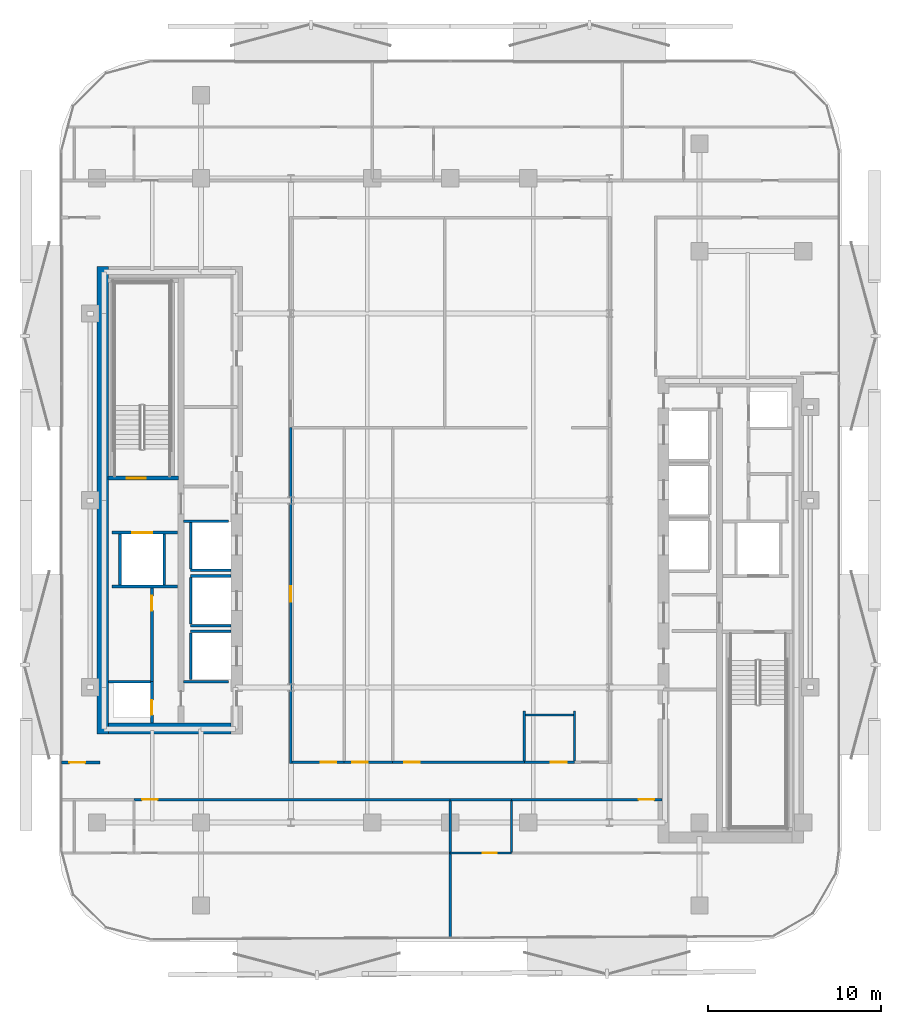
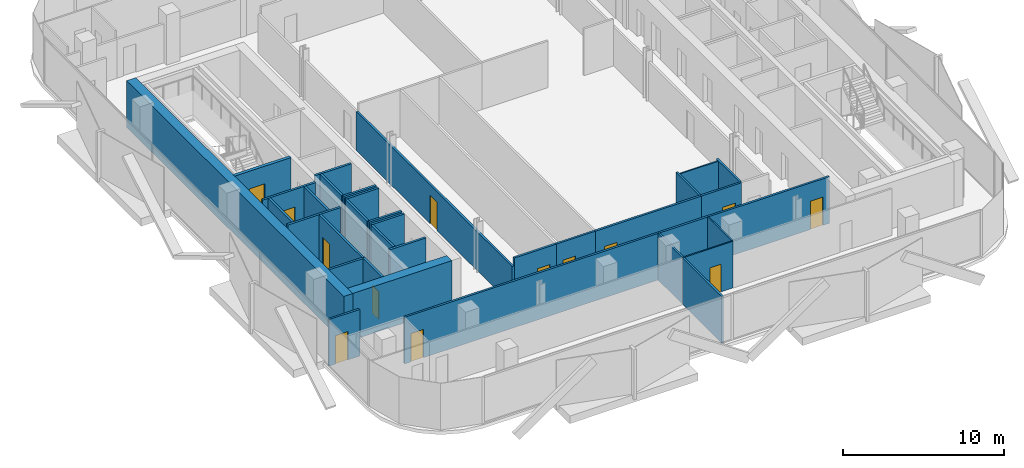
# One storey, part 3 of 16: 35 walls, 13 doors, 13 openings.
"""IFC4 building model written with IfcOpenShell, lengths in metres."""

from ifc_helpers import new_model, si_unit, direction, frame, frame_2d, origin, place, context, subcontext, project, spatial, rectangle, extrude, material, layer, layer_set, type_object, element, fill, save


model = new_model("IFC4")

# Units and contexts
model_context = context("Model", 3, precision=1e-05, world=origin(), true_north=direction((0.0, 1.0)))
body_context = subcontext(model_context, "Body", "Model", "MODEL_VIEW")
ifc_project = project(units=[si_unit("LENGTHUNIT", "METRE"), si_unit("AREAUNIT", "SQUARE_METRE"), si_unit("VOLUMEUNIT", "CUBIC_METRE"), si_unit("PLANEANGLEUNIT", "RADIAN"), si_unit("MASSUNIT", "GRAM", prefix="KILO")], contexts=[model_context])

# Site, building, storey
site_placement = place(None, origin())
site = spatial("IfcSite", under=ifc_project, at=site_placement, CompositionType="ELEMENT")
building_placement = place(site_placement, origin())
building = spatial("IfcBuilding", under=site, at=building_placement, Name="Khairoan Windgate Tower", CompositionType="ELEMENT")
storey_placement = place(building_placement, frame((0.0, 0.0, 206.800048828125)))
storey = spatial("IfcBuildingStorey", under=building, at=storey_placement, Name="L48", CompositionType="ELEMENT", Elevation=206.800048828125)

# Wall
ifc_material_1 = material(Name="Moisture-Resistant Gypsum Partition", Category="gypsum")
ifc_layer_1 = layer(ifc_material_1, 0.10009765625, Name="Moisture-Resistant Gypsum Partition")
ifc_layer_set_1 = layer_set([ifc_layer_1], Name="Moisture-Resistant Gypsum Partition")
wall_type_1 = type_object("IfcWallType", Name="Bathroom Wet-Area Partition Wall", PredefinedType="PARTITIONING", material=ifc_layer_set_1)
wall_1_placement = place(storey_placement, frame((3.5400390625, -20.320068359375, 0.0), z_axis=(0.0, 0.0, 1.0), x_axis=(0.0, 1.0, 0.0)))
element("IfcWall", 1, at=wall_1_placement, inside=storey, type_object=wall_type_1, Name="L48 Interior Partition 064", PredefinedType="PARTITIONING", context=body_context, shape_type="SweptSolid", body=[
    extrude(rectangle(XDim=2.965087890625, YDim=0.10009765625, at=frame_2d((1.482421875, 0.0))), origin(), (0.0, 0.0, 1.0), 3.5400390625),
])

# Wall, opening, door
wall_2_placement = place(storey_placement, frame((0.0, -20.3701171875, 0.0), z_axis=(0.0, 0.0, 1.0), x_axis=(1.0, 0.0, 0.0)))
wall_2 = element("IfcWall", 2, at=wall_2_placement, inside=storey, type_object=wall_type_1, Name="L48 Interior Partition 065", PredefinedType="PARTITIONING", context=body_context, shape_type="SweptSolid", body=[
    extrude(rectangle(XDim=3.5400390625, YDim=0.10009765625, at=frame_2d((1.77001953125, 0.0))), origin(), (0.0, 0.0, 1.0), 3.5400390625),
])
opening_1_placement = place(wall_2_placement, frame((1.87548828125, 0.0, 0.0)))
opening_1 = element("IfcOpeningElement", 3, at=opening_1_placement, cuts=wall_2, Name="Opening ID-BTH", PredefinedType="OPENING", context=body_context, shape_type="SweptSolid", body=[
    extrude(rectangle(XDim=0.800048828125, YDim=2.10009765625, at=frame_2d((0.39990234375, 1.050048828125))), frame((0.0, 0.06005859375, 0.0), z_axis=(0.0, -1.0, 0.0), x_axis=(1.0, 0.0, 0.0)), (0.0, 0.0, 1.0), 0.1201171875),
])
ifc_material_2 = material(Name="Teak Veneer Timber Leaf", Category="wood")
door_type_1 = type_object("IfcDoorType", Name="Internal Bathroom Door ID-BTH 800x2100", OperationType="NOTDEFINED", PredefinedType="DOOR", material=ifc_material_2)
door_1_placement = place(opening_1_placement, origin())
door_1 = element("IfcDoor", 4, at=door_1_placement, inside=storey, type_object=door_type_1, Name="L48 L48-51-L48-53 Door", OperationType="SINGLE_SWING_RIGHT", OverallHeight=2.10009765625, OverallWidth=0.800048828125, PredefinedType="DOOR", context=body_context, shape_type="SweptSolid", body=[
    extrude(rectangle(XDim=0.800048828125, YDim=2.10009765625, at=frame_2d((0.39990234375, 1.050048828125))), frame((0.0, 0.02490234375, 0.0), z_axis=(0.0, -1.0, 0.0), x_axis=(1.0, 0.0, 0.0)), (0.0, 0.0, 1.0), 0.050048828125),
])
fill(opening_1, door_1)

# Walls
wall_3_placement = place(storey_placement, frame((4.35009765625, -12.39990234375, 0.0), z_axis=(0.0, 0.0, 1.0), x_axis=(1.0, 0.0, 0.0)))
element("IfcWall", 5, at=wall_3_placement, inside=storey, type_object=wall_type_1, Name="L48 Wet Room Side Wall 069", PredefinedType="PARTITIONING", context=body_context, shape_type="SweptSolid", body=[
    extrude(rectangle(XDim=2.760009765625, YDim=0.10009765625, at=frame_2d((1.3798828125, 0.0))), origin(), (0.0, 0.0, 1.0), 3.5400390625),
])
ifc_material_3 = material(Name="Concrete C40/50", Category="concrete")
ifc_layer_2 = layer(ifc_material_3, 0.159912109375, Name="Concrete C40/50")
ifc_layer_set_2 = layer_set([ifc_layer_2], Name="Concrete C40/50")
wall_type_2 = type_object("IfcWallType", Name="Core and Hoistway Enclosure Wall", PredefinedType="STANDARD", material=ifc_layer_set_2)
wall_4_placement = place(storey_placement, frame((-14.989990234375, -4.0400390625, 0.0), z_axis=(0.0, 0.0, 1.0), x_axis=(1.0, 0.0, 0.0)))
element("IfcWall", 6, at=wall_4_placement, inside=storey, type_object=wall_type_2, Name="L48 Lift PL4 Hoistway Divider S", PredefinedType="STANDARD", context=body_context, shape_type="SweptSolid", body=[
    extrude(rectangle(XDim=2.340087890625, YDim=0.159912109375, at=frame_2d((1.169921875, 0.0))), origin(), (0.0, 0.0, 1.0), 3.5400390625),
])
wall_5_placement = place(storey_placement, frame((-14.989990234375, -3.949951171875, 0.0), z_axis=(0.0, 0.0, 1.0), x_axis=(0.0, 1.0, 0.0)))
element("IfcWall", 7, at=wall_5_placement, inside=storey, type_object=wall_type_2, Name="L48 Lift PL4 Hoistway Back Wall", PredefinedType="STANDARD", context=body_context, shape_type="SweptSolid", body=[
    extrude(rectangle(XDim=2.699951171875, YDim=0.159912109375, at=frame_2d((1.35009765625, 0.0))), origin(), (0.0, 0.0, 1.0), 3.5400390625),
])
for number, where, z_axis, x_axis, name in (
    (8, (-14.989990234375, -7.239990234375, 0.0), (0.0, 0.0, 1.0), (1.0, 0.0, 0.0), "L48 Lift PL5 Hoistway Divider S"),
    (9, (-14.989990234375, -4.360107421875, 0.0), (0.0, 0.0, 1.0), (1.0, 0.0, 0.0), "L48 Lift PL5 Hoistway Divider N"),
):
    element("IfcWall", number, at=place(storey_placement, frame(where, z_axis=z_axis, x_axis=x_axis)), inside=storey, type_object=wall_type_2, Name=name, PredefinedType="STANDARD", context=body_context, shape_type="SweptSolid", body=[
        extrude(rectangle(XDim=2.340087890625, YDim=0.159912109375, at=frame_2d((1.169921875, 0.0))), origin(), (0.0, 0.0, 1.0), 3.5400390625),
    ])
wall_6_placement = place(storey_placement, frame((-14.989990234375, -7.14990234375, 0.0), z_axis=(0.0, 0.0, 1.0), x_axis=(0.0, 1.0, 0.0)))
element("IfcWall", 10, at=wall_6_placement, inside=storey, type_object=wall_type_2, Name="L48 Lift PL5 Hoistway Back Wall", PredefinedType="STANDARD", context=body_context, shape_type="SweptSolid", body=[
    extrude(rectangle(XDim=2.699951171875, YDim=0.159912109375, at=frame_2d((1.35009765625, 0.0))), origin(), (0.0, 0.0, 1.0), 3.5400390625),
])
wall_7_placement = place(storey_placement, frame((-14.989990234375, -7.56005859375, 0.0), z_axis=(0.0, 0.0, 1.0), x_axis=(1.0, 0.0, 0.0)))
element("IfcWall", 11, at=wall_7_placement, inside=storey, type_object=wall_type_2, Name="L48 Lift PL6 Hoistway Divider N", PredefinedType="STANDARD", context=body_context, shape_type="SweptSolid", body=[
    extrude(rectangle(XDim=2.340087890625, YDim=0.159912109375, at=frame_2d((1.169921875, 0.0))), origin(), (0.0, 0.0, 1.0), 3.5400390625),
])
wall_8_placement = place(storey_placement, frame((-14.989990234375, -10.35009765625, 0.0), z_axis=(0.0, 0.0, 1.0), x_axis=(0.0, 1.0, 0.0)))
element("IfcWall", 12, at=wall_8_placement, inside=storey, type_object=wall_type_2, Name="L48 Lift PL6 Hoistway Back Wall", PredefinedType="STANDARD", context=body_context, shape_type="SweptSolid", body=[
    extrude(rectangle(XDim=2.7001953125, YDim=0.159912109375, at=frame_2d((1.35009765625, 0.0))), origin(), (0.0, 0.0, 1.0), 3.5400390625),
])

# Wall, opening, door
wall_9_placement = place(storey_placement, frame((-19.550048828125, -1.860107421875, 0.0), z_axis=(0.0, 0.0, 1.0), x_axis=(1.0, 0.0, 0.0)))
wall_9 = element("IfcWall", 13, at=wall_9_placement, inside=storey, type_object=wall_type_2, Name="L48 Core Shaft Wall SW-FL2-L48", PredefinedType="STANDARD", context=body_context, shape_type="SweptSolid", body=[
    extrude(rectangle(XDim=3.800048828125, YDim=0.159912109375, at=frame_2d((1.89990234375, 0.0))), origin(), (0.0, 0.0, 1.0), 3.5400390625),
])
opening_2_placement = place(wall_9_placement, frame((1.179931640625, 0.0, 0.0)))
opening_2 = element("IfcOpeningElement", 14, at=opening_2_placement, cuts=wall_9, Name="Opening LD-FL", PredefinedType="OPENING", context=body_context, shape_type="SweptSolid", body=[
    extrude(rectangle(XDim=1.14990234375, YDim=2.199951171875, at=frame_2d((0.574951171875, 1.10009765625))), frame((0.0, 0.08984375, 0.0), z_axis=(0.0, -1.0, 0.0), x_axis=(1.0, 0.0, 0.0)), (0.0, 0.0, 1.0), 0.179931640625),
])
ifc_material_4 = material(Name="Steel S355", Category="steel")
door_type_2 = type_object("IfcDoorType", Name="Firefighting Lift Sliding Landing Door LD-FL 1150x2200", OperationType="DOUBLE_DOOR_SLIDING", PredefinedType="DOOR", material=ifc_material_4)
door_2_placement = place(opening_2_placement, origin())
door_2 = element("IfcDoor", 15, at=door_2_placement, inside=storey, type_object=door_type_2, Name="L48 Firefighting Lift FL2 Landing Door", OperationType="DOUBLE_DOOR_SLIDING", OverallHeight=2.199951171875, OverallWidth=1.14990234375, PredefinedType="DOOR", context=body_context, shape_type="SweptSolid", body=[
    extrude(rectangle(XDim=1.14990234375, YDim=2.199951171875, at=frame_2d((0.574951171875, 1.10009765625))), frame((0.0, 0.02490234375, 0.0), z_axis=(0.0, -1.0, 0.0), x_axis=(1.0, 0.0, 0.0)), (0.0, 0.0, 1.0), 0.050048828125),
])
fill(opening_2, door_2)

# Walls
wall_10_placement = place(storey_placement, frame((-19.550048828125, -4.97998046875, 0.0), z_axis=(0.0, 0.0, 1.0), x_axis=(1.0, 0.0, 0.0)))
element("IfcWall", 16, at=wall_10_placement, inside=storey, type_object=wall_type_2, Name="L48 Core Shaft Wall SW-FL2B-L48", PredefinedType="STANDARD", context=body_context, shape_type="SweptSolid", body=[
    extrude(rectangle(XDim=3.800048828125, YDim=0.159912109375, at=frame_2d((1.89990234375, 0.0))), origin(), (0.0, 0.0, 1.0), 3.5400390625),
])
for number, where, z_axis, x_axis, name in (
    (17, (-19.080078125, -4.89990234375, 0.0), (0.0, 0.0, 1.0), (0.0, 1.0, 0.0), "L48 Core Shaft Wall SW-FL2W-L48"),
    (18, (-16.52001953125, -4.89990234375, 0.0), (0.0, 0.0, 1.0), (0.0, 1.0, 0.0), "L48 Core Shaft Wall SW-FL2E-L48"),
):
    element("IfcWall", number, at=place(storey_placement, frame(where, z_axis=z_axis, x_axis=x_axis)), inside=storey, type_object=wall_type_2, Name=name, PredefinedType="STANDARD", context=body_context, shape_type="SweptSolid", body=[
        extrude(rectangle(XDim=2.9599609375, YDim=0.159912109375, at=frame_2d((1.47998046875, 0.0))), origin(), (0.0, 0.0, 1.0), 3.5400390625),
    ])
for number, where, z_axis, x_axis, name in (
    (19, (-15.39990234375, -1.199951171875, 0.0), (0.0, 0.0, 1.0), (1.0, 0.0, 0.0), "L48 Core Shaft Wall SW-WV2-L48"),
    (20, (-15.39990234375, -10.47998046875, 0.0), (0.0, 0.0, 1.0), (1.0, 0.0, 0.0), "L48 Core Shaft Wall SW-WSV-L48"),
):
    element("IfcWall", number, at=place(storey_placement, frame(where, z_axis=z_axis, x_axis=x_axis)), inside=storey, type_object=wall_type_2, Name=name, PredefinedType="STANDARD", context=body_context, shape_type="SweptSolid", body=[
        extrude(rectangle(XDim=2.599853515625, YDim=0.159912109375, at=frame_2d((1.2998046875, 0.0))), origin(), (0.0, 0.0, 1.0), 3.5400390625),
    ])
ifc_material_5 = material(Name="Acoustic Fire-Rated Gypsum Partition", Category="gypsum")
ifc_layer_3 = layer(ifc_material_5, 0.139892578125, Name="Acoustic Fire-Rated Gypsum Partition")
ifc_layer_set_3 = layer_set([ifc_layer_3], Name="Acoustic Fire-Rated Gypsum Partition")
wall_type_3 = type_object("IfcWallType", Name="Inter-Tenancy Compartment Wall", PredefinedType="PARTITIONING", material=ifc_layer_set_3)
for number, where, z_axis, x_axis, name in (
    (21, (4.280029296875, -15.044921875, 0.0), (0.0, 0.0, 1.0), (0.0, 1.0, 0.0), "L48 Interior Partition 040"),
    (22, (7.179931640625, -15.044921875, 0.0), (0.0, 0.0, 1.0), (0.0, 1.0, 0.0), "L48 Interior Partition 043"),
):
    element("IfcWall", number, at=place(storey_placement, frame(where, z_axis=z_axis, x_axis=x_axis)), inside=storey, type_object=wall_type_3, Name=name, PredefinedType="PARTITIONING", context=body_context, shape_type="SweptSolid", body=[
        extrude(rectangle(XDim=2.885009765625, YDim=0.139892578125, at=frame_2d((1.4423828125, 0.0))), origin(), (0.0, 0.0, 1.0), 3.5400390625),
    ])
wall_11_placement = place(storey_placement, frame((0.0, -20.3701171875, 0.0), z_axis=(0.0, 0.0, 1.0), x_axis=(0.0, 1.0, 0.0)))
element("IfcWall", 23, at=wall_11_placement, inside=storey, type_object=wall_type_3, Name="L48 Interior Partition 062", PredefinedType="PARTITIONING", context=body_context, shape_type="SweptSolid", body=[
    extrude(rectangle(XDim=3.01513671875, YDim=0.139892578125, at=frame_2d((1.507568359375, 0.0))), origin(), (0.0, 0.0, 1.0), 3.5400390625),
])
wall_12_placement = place(storey_placement, frame((0.0, -25.269775390625, 0.0), z_axis=(0.0, 0.0, 1.0), x_axis=(0.0, 1.0, 0.0)))
element("IfcWall", 24, at=wall_12_placement, inside=storey, type_object=wall_type_3, Name="L48 Interior Partition 063", PredefinedType="PARTITIONING", context=body_context, shape_type="SweptSolid", body=[
    extrude(rectangle(XDim=4.899658203125, YDim=0.139892578125, at=frame_2d((2.44970703125, 0.0))), origin(), (0.0, 0.0, 1.0), 3.5400390625),
])

# Wall, opening, door
ifc_material_6 = material(Name="Concrete C40/50", Category="concrete")
ifc_layer_4 = layer(ifc_material_6, 0.159912109375, Name="Concrete C40/50")
ifc_layer_set_4 = layer_set([ifc_layer_4], Name="Concrete C40/50")
wall_type_4 = type_object("IfcWallType", Name="Plant and Refuge Compartment Wall", PredefinedType="PARTITIONING", material=ifc_layer_set_4)
wall_13_placement = place(storey_placement, frame((-17.22998046875, -12.85009765625, 0.0), z_axis=(0.0, 0.0, 1.0), x_axis=(0.0, 1.0, 0.0)))
wall_13 = element("IfcWall", 25, at=wall_13_placement, inside=storey, type_object=wall_type_4, Name="L48 Interior Partition 001", PredefinedType="PARTITIONING", context=body_context, shape_type="SweptSolid", body=[
    extrude(rectangle(XDim=2.380126953125, YDim=0.159912109375, at=frame_2d((1.18994140625, 0.0))), origin(), (0.0, 0.0, 1.0), 3.5400390625),
])
opening_3_placement = place(wall_13_placement, frame((0.4599609375, 0.0, 0.0)))
opening_3 = element("IfcOpeningElement", 26, at=opening_3_placement, cuts=wall_13, Name="Opening FD-SRV", PredefinedType="OPENING", context=body_context, shape_type="SweptSolid", body=[
    extrude(rectangle(XDim=0.85009765625, YDim=2.10009765625, at=frame_2d((0.425048828125, 1.050048828125))), frame((0.0, 0.08984375, 0.0), z_axis=(0.0, -1.0, 0.0), x_axis=(1.0, 0.0, 0.0)), (0.0, 0.0, 1.0), 0.179931640625),
])
ifc_material_7 = material(Name="Steel S355", Category="steel")
door_type_3 = type_object("IfcDoorType", Name="Core Service and Riser Fire Door FD-SRV 850x2100", OperationType="NOTDEFINED", PredefinedType="DOOR", material=ifc_material_7)
door_3_placement = place(opening_3_placement, origin())
door_3 = element("IfcDoor", 27, at=door_3_placement, inside=storey, type_object=door_type_3, Name="L48 L48-04-L48-05 Door", OperationType="SINGLE_SWING_RIGHT", OverallHeight=2.10009765625, OverallWidth=0.85009765625, PredefinedType="DOOR", context=body_context, shape_type="SweptSolid", body=[
    extrude(rectangle(XDim=0.85009765625, YDim=2.10009765625, at=frame_2d((0.425048828125, 1.050048828125))), frame((0.0, 0.02490234375, 0.0), z_axis=(0.0, -1.0, 0.0), x_axis=(1.0, 0.0, 0.0)), (0.0, 0.0, 1.0), 0.050048828125),
])
fill(opening_3, door_3)

wall_14_placement = place(storey_placement, frame((-17.22998046875, -10.469970703125, 0.0), z_axis=(0.0, 0.0, 1.0), x_axis=(0.0, 1.0, 0.0)))
wall_14 = element("IfcWall", 28, at=wall_14_placement, inside=storey, type_object=wall_type_4, Name="L48 Interior Partition 002", PredefinedType="PARTITIONING", context=body_context, shape_type="SweptSolid", body=[
    extrude(rectangle(XDim=5.409912109375, YDim=0.159912109375, at=frame_2d((2.705078125, 0.0))), origin(), (0.0, 0.0, 1.0), 3.5400390625),
])
opening_4_placement = place(wall_14_placement, frame((4.10009765625, 0.0, 0.0)))
opening_4 = element("IfcOpeningElement", 29, at=opening_4_placement, cuts=wall_14, Name="Opening FD-SRV", PredefinedType="OPENING", context=body_context, shape_type="SweptSolid", body=[
    extrude(rectangle(XDim=0.85009765625, YDim=2.10009765625, at=frame_2d((0.425048828125, 1.050048828125))), frame((0.0, 0.08984375, 0.0), z_axis=(0.0, -1.0, 0.0), x_axis=(1.0, 0.0, 0.0)), (0.0, 0.0, 1.0), 0.179931640625),
])
door_4_placement = place(opening_4_placement, origin())
door_4 = element("IfcDoor", 30, at=door_4_placement, inside=storey, type_object=door_type_3, Name="L48 L48-04-L48-06 Door", OperationType="SINGLE_SWING_LEFT", OverallHeight=2.10009765625, OverallWidth=0.85009765625, PredefinedType="DOOR", context=body_context, shape_type="SweptSolid", body=[
    extrude(rectangle(XDim=0.85009765625, YDim=2.10009765625, at=frame_2d((0.425048828125, 1.050048828125))), frame((0.0, 0.02490234375, 0.0), z_axis=(0.0, -1.0, 0.0), x_axis=(1.0, 0.0, 0.0)), (0.0, 0.0, 1.0), 0.050048828125),
])
fill(opening_4, door_4)

# Wall
wall_15_placement = place(storey_placement, frame((-19.75, -10.469970703125, 0.0), z_axis=(0.0, 0.0, 1.0), x_axis=(1.0, 0.0, 0.0)))
element("IfcWall", 31, at=wall_15_placement, inside=storey, type_object=wall_type_4, Name="L48 Interior Partition 003", PredefinedType="PARTITIONING", context=body_context, shape_type="SweptSolid", body=[
    extrude(rectangle(XDim=2.43994140625, YDim=0.159912109375, at=frame_2d((1.219970703125, 0.0))), origin(), (0.0, 0.0, 1.0), 3.5400390625),
])

# Wall, opening, door
ifc_material_8 = material(Name="Acoustic Fire-Rated Gypsum Partition", Category="gypsum")
ifc_layer_5 = layer(ifc_material_8, 0.14990234375, Name="Acoustic Fire-Rated Gypsum Partition")
ifc_layer_set_5 = layer_set([ifc_layer_5], Name="Acoustic Fire-Rated Gypsum Partition")
wall_type_5 = type_object("IfcWallType", Name="Rated Corridor Partition Wall", PredefinedType="PARTITIONING", material=ifc_layer_set_5)
wall_16_placement = place(storey_placement, frame((-9.219970703125, -15.195068359375, 0.0), z_axis=(0.0, 0.0, 1.0), x_axis=(0.0, 1.0, 0.0)))
wall_16 = element("IfcWall", 32, at=wall_16_placement, inside=storey, type_object=wall_type_5, Name="L48 Interior Partition 011", PredefinedType="PARTITIONING", context=body_context, shape_type="SweptSolid", body=[
    extrude(rectangle(XDim=19.39501953125, YDim=0.14990234375, at=frame_2d((9.697509765625, 0.0))), origin(), (0.0, 0.0, 1.0), 2.951904296875),
])
opening_5_placement = place(wall_16_placement, frame((9.348388671875, 0.0, 0.0)))
opening_5 = element("IfcOpeningElement", 33, at=opening_5_placement, cuts=wall_16, Name="Opening FD-ENT", PredefinedType="OPENING", context=body_context, shape_type="SweptSolid", body=[
    extrude(rectangle(XDim=0.89990234375, YDim=2.14990234375, at=frame_2d((0.449951171875, 1.074951171875))), frame((0.0, 0.0849609375, 0.0), z_axis=(0.0, -1.0, 0.0), x_axis=(1.0, 0.0, 0.0)), (0.0, 0.0, 1.0), 0.169921875),
])
ifc_material_9 = material(Name="Timber Fire-Rated Core", Category="wood")
door_type_4 = type_object("IfcDoorType", Name="Unit and Office Fire Entrance Door FD-ENT 900x2150", OperationType="NOTDEFINED", PredefinedType="DOOR", material=ifc_material_9)
door_5_placement = place(opening_5_placement, origin())
door_5 = element("IfcDoor", 34, at=door_5_placement, inside=storey, type_object=door_type_4, Name="L48 L48-28-L48-32 Door", OperationType="SINGLE_SWING_LEFT", OverallHeight=2.14990234375, OverallWidth=0.89990234375, PredefinedType="DOOR", context=body_context, shape_type="SweptSolid", body=[
    extrude(rectangle(XDim=0.89990234375, YDim=2.14990234375, at=frame_2d((0.449951171875, 1.074951171875))), frame((0.0, 0.02490234375, 0.0), z_axis=(0.0, -1.0, 0.0), x_axis=(1.0, 0.0, 0.0)), (0.0, 0.0, 1.0), 0.050048828125),
])
fill(opening_5, door_5)

wall_17_placement = place(storey_placement, frame((-9.14501953125, -15.1201171875, 0.0), z_axis=(0.0, 0.0, 1.0), x_axis=(1.0, 0.0, 0.0)))
wall_17 = element("IfcWall", 35, at=wall_17_placement, inside=storey, type_object=wall_type_5, Name="L48 Interior Partition 026", PredefinedType="PARTITIONING", context=body_context, shape_type="SweptSolid", body=[
    extrude(rectangle(XDim=3.02490234375, YDim=0.14990234375, at=frame_2d((1.512451171875, 0.0))), origin(), (0.0, 0.0, 1.0), 3.5400390625),
])
opening_6_placement = place(wall_17_placement, frame((1.6650390625, 0.0, 0.0)))
opening_6 = element("IfcOpeningElement", 36, at=opening_6_placement, cuts=wall_17, Name="Opening FD-ENT", PredefinedType="OPENING", context=body_context, shape_type="SweptSolid", body=[
    extrude(rectangle(XDim=0.89990234375, YDim=2.14990234375, at=frame_2d((0.449951171875, 1.074951171875))), frame((0.0, 0.0849609375, 0.0), z_axis=(0.0, -1.0, 0.0), x_axis=(1.0, 0.0, 0.0)), (0.0, 0.0, 1.0), 0.169921875),
])
door_6_placement = place(opening_6_placement, origin())
door_6 = element("IfcDoor", 37, at=door_6_placement, inside=storey, type_object=door_type_4, Name="L48 L48-31-L48-32 Door", OperationType="SINGLE_SWING_LEFT", OverallHeight=2.14990234375, OverallWidth=0.89990234375, PredefinedType="DOOR", context=body_context, shape_type="SweptSolid", body=[
    extrude(rectangle(XDim=0.89990234375, YDim=2.14990234375, at=frame_2d((0.449951171875, 1.074951171875))), frame((0.0, 0.02490234375, 0.0), z_axis=(0.0, -1.0, 0.0), x_axis=(1.0, 0.0, 0.0)), (0.0, 0.0, 1.0), 0.050048828125),
])
fill(opening_6, door_6)

wall_18_placement = place(storey_placement, frame((-6.1201171875, -15.1201171875, 0.0), z_axis=(0.0, 0.0, 1.0), x_axis=(1.0, 0.0, 0.0)))
wall_18 = element("IfcWall", 38, at=wall_18_placement, inside=storey, type_object=wall_type_5, Name="L48 Interior Partition 027", PredefinedType="PARTITIONING", context=body_context, shape_type="SweptSolid", body=[
    extrude(rectangle(XDim=2.800048828125, YDim=0.14990234375, at=frame_2d((1.39990234375, 0.0))), origin(), (0.0, 0.0, 1.0), 3.5400390625),
])
opening_7_placement = place(wall_18_placement, frame((0.4599609375, 0.0, 0.0)))
opening_7 = element("IfcOpeningElement", 39, at=opening_7_placement, cuts=wall_18, Name="Opening FD-ENT", PredefinedType="OPENING", context=body_context, shape_type="SweptSolid", body=[
    extrude(rectangle(XDim=0.89990234375, YDim=2.14990234375, at=frame_2d((0.449951171875, 1.074951171875))), frame((0.0, 0.0849609375, 0.0), z_axis=(0.0, -1.0, 0.0), x_axis=(1.0, 0.0, 0.0)), (0.0, 0.0, 1.0), 0.169921875),
])
door_7_placement = place(opening_7_placement, origin())
door_7 = element("IfcDoor", 40, at=door_7_placement, inside=storey, type_object=door_type_4, Name="L48 L48-31-L48-33 Door", OperationType="SINGLE_SWING_RIGHT", OverallHeight=2.14990234375, OverallWidth=0.89990234375, PredefinedType="DOOR", context=body_context, shape_type="SweptSolid", body=[
    extrude(rectangle(XDim=0.89990234375, YDim=2.14990234375, at=frame_2d((0.449951171875, 1.074951171875))), frame((0.0, 0.02490234375, 0.0), z_axis=(0.0, -1.0, 0.0), x_axis=(1.0, 0.0, 0.0)), (0.0, 0.0, 1.0), 0.050048828125),
])
fill(opening_7, door_7)

wall_19_placement = place(storey_placement, frame((-3.320068359375, -15.1201171875, 0.0), z_axis=(0.0, 0.0, 1.0), x_axis=(1.0, 0.0, 0.0)))
wall_19 = element("IfcWall", 41, at=wall_19_placement, inside=storey, type_object=wall_type_5, Name="L48 Interior Partition 028", PredefinedType="PARTITIONING", context=body_context, shape_type="SweptSolid", body=[
    extrude(rectangle(XDim=7.60009765625, YDim=0.14990234375, at=frame_2d((3.800048828125, 0.0))), origin(), (0.0, 0.0, 1.0), 3.5400390625),
])
opening_8_placement = place(wall_19_placement, frame((0.66650390625, 0.0, 0.0)))
opening_8 = element("IfcOpeningElement", 42, at=opening_8_placement, cuts=wall_19, Name="Opening FD-ENT", PredefinedType="OPENING", context=body_context, shape_type="SweptSolid", body=[
    extrude(rectangle(XDim=0.89990234375, YDim=2.14990234375, at=frame_2d((0.449951171875, 1.074951171875))), frame((0.0, 0.0849609375, 0.0), z_axis=(0.0, -1.0, 0.0), x_axis=(1.0, 0.0, 0.0)), (0.0, 0.0, 1.0), 0.169921875),
])
door_8_placement = place(opening_8_placement, origin())
door_8 = element("IfcDoor", 43, at=door_8_placement, inside=storey, type_object=door_type_4, Name="L48 L48-31-L48-34 Door", OperationType="SINGLE_SWING_LEFT", OverallHeight=2.14990234375, OverallWidth=0.89990234375, PredefinedType="DOOR", context=body_context, shape_type="SweptSolid", body=[
    extrude(rectangle(XDim=0.89990234375, YDim=2.14990234375, at=frame_2d((0.449951171875, 1.074951171875))), frame((0.0, 0.02490234375, 0.0), z_axis=(0.0, -1.0, 0.0), x_axis=(1.0, 0.0, 0.0)), (0.0, 0.0, 1.0), 0.050048828125),
])
fill(opening_8, door_8)

wall_20_placement = place(storey_placement, frame((4.280029296875, -15.1201171875, 0.0), z_axis=(0.0, 0.0, 1.0), x_axis=(1.0, 0.0, 0.0)))
wall_20 = element("IfcWall", 44, at=wall_20_placement, inside=storey, type_object=wall_type_5, Name="L48 Interior Partition 029", PredefinedType="PARTITIONING", context=body_context, shape_type="SweptSolid", body=[
    extrude(rectangle(XDim=2.89990234375, YDim=0.14990234375, at=frame_2d((1.449951171875, 0.0))), origin(), (0.0, 0.0, 1.0), 3.5400390625),
])
opening_9_placement = place(wall_20_placement, frame((1.5400390625, 0.0, 0.0)))
opening_9 = element("IfcOpeningElement", 45, at=opening_9_placement, cuts=wall_20, Name="Opening FD-ENT", PredefinedType="OPENING", context=body_context, shape_type="SweptSolid", body=[
    extrude(rectangle(XDim=0.89990234375, YDim=2.14990234375, at=frame_2d((0.449951171875, 1.074951171875))), frame((0.0, 0.0849609375, 0.0), z_axis=(0.0, -1.0, 0.0), x_axis=(1.0, 0.0, 0.0)), (0.0, 0.0, 1.0), 0.169921875),
])
door_9_placement = place(opening_9_placement, origin())
door_9 = element("IfcDoor", 46, at=door_9_placement, inside=storey, type_object=door_type_4, Name="L48 L48-31-L48-35 Door", OperationType="SINGLE_SWING_RIGHT", OverallHeight=2.14990234375, OverallWidth=0.89990234375, PredefinedType="DOOR", context=body_context, shape_type="SweptSolid", body=[
    extrude(rectangle(XDim=0.89990234375, YDim=2.14990234375, at=frame_2d((0.449951171875, 1.074951171875))), frame((0.0, 0.02490234375, 0.0), z_axis=(0.0, -1.0, 0.0), x_axis=(1.0, 0.0, 0.0)), (0.0, 0.0, 1.0), 0.050048828125),
])
fill(opening_9, door_9)

wall_21_placement = place(storey_placement, frame((-18.260009765625, -17.280029296875, 0.0), z_axis=(0.0, 0.0, 1.0), x_axis=(1.0, 0.0, 0.0)))
wall_21 = element("IfcWall", 47, at=wall_21_placement, inside=storey, type_object=wall_type_5, Name="L48 Interior Partition 032", PredefinedType="PARTITIONING", context=body_context, shape_type="SweptSolid", body=[
    extrude(rectangle(XDim=18.260009765625, YDim=0.14990234375, at=frame_2d((9.1298828125, 0.0))), origin(), (0.0, 0.0, 1.0), 3.5400390625),
])
opening_10_placement = place(wall_21_placement, frame((0.4599609375, 0.0, 0.0)))
opening_10 = element("IfcOpeningElement", 48, at=opening_10_placement, cuts=wall_21, Name="Opening FD-ENT", PredefinedType="OPENING", context=body_context, shape_type="SweptSolid", body=[
    extrude(rectangle(XDim=0.89990234375, YDim=2.14990234375, at=frame_2d((0.449951171875, 1.074951171875))), frame((0.0, 0.0849609375, 0.0), z_axis=(0.0, -1.0, 0.0), x_axis=(1.0, 0.0, 0.0)), (0.0, 0.0, 1.0), 0.169921875),
])
door_10_placement = place(opening_10_placement, origin())
door_10 = element("IfcDoor", 49, at=door_10_placement, inside=storey, type_object=door_type_4, Name="L48 L48-31-L48-49 Door", OperationType="SINGLE_SWING_RIGHT", OverallHeight=2.14990234375, OverallWidth=0.89990234375, PredefinedType="DOOR", context=body_context, shape_type="SweptSolid", body=[
    extrude(rectangle(XDim=0.89990234375, YDim=2.14990234375, at=frame_2d((0.449951171875, 1.074951171875))), frame((0.0, 0.02490234375, 0.0), z_axis=(0.0, -1.0, 0.0), x_axis=(1.0, 0.0, 0.0)), (0.0, 0.0, 1.0), 0.050048828125),
])
fill(opening_10, door_10)

# Wall
wall_22_placement = place(storey_placement, frame((0.0, -17.280029296875, 0.0), z_axis=(0.0, 0.0, 1.0), x_axis=(1.0, 0.0, 0.0)))
element("IfcWall", 50, at=wall_22_placement, inside=storey, type_object=wall_type_5, Name="L48 Interior Partition 033", PredefinedType="PARTITIONING", context=body_context, shape_type="SweptSolid", body=[
    extrude(rectangle(XDim=3.5400390625, YDim=0.14990234375, at=frame_2d((1.77001953125, 0.0))), origin(), (0.0, 0.0, 1.0), 3.5400390625),
])

# Wall, opening, door
wall_23_placement = place(storey_placement, frame((3.5400390625, -17.280029296875, 0.0), z_axis=(0.0, 0.0, 1.0), x_axis=(1.0, 0.0, 0.0)))
wall_23 = element("IfcWall", 51, at=wall_23_placement, inside=storey, type_object=wall_type_5, Name="L48 Interior Partition 034", PredefinedType="PARTITIONING", context=body_context, shape_type="SweptSolid", body=[
    extrude(rectangle(XDim=8.699951171875, YDim=0.14990234375, at=frame_2d((4.35009765625, 0.0))), origin(), (0.0, 0.0, 1.0), 3.5400390625),
])
opening_11_placement = place(wall_23_placement, frame((7.340087890625, 0.0, 0.0)))
opening_11 = element("IfcOpeningElement", 52, at=opening_11_placement, cuts=wall_23, Name="Opening FD-ENT", PredefinedType="OPENING", context=body_context, shape_type="SweptSolid", body=[
    extrude(rectangle(XDim=0.89990234375, YDim=2.14990234375, at=frame_2d((0.449951171875, 1.074951171875))), frame((0.0, 0.0849609375, 0.0), z_axis=(0.0, -1.0, 0.0), x_axis=(1.0, 0.0, 0.0)), (0.0, 0.0, 1.0), 0.169921875),
])
door_11_placement = place(opening_11_placement, origin())
door_11 = element("IfcDoor", 53, at=door_11_placement, inside=storey, type_object=door_type_4, Name="L48 L48-31-L48-52 Door", OperationType="SINGLE_SWING_LEFT", OverallHeight=2.14990234375, OverallWidth=0.89990234375, PredefinedType="DOOR", context=body_context, shape_type="SweptSolid", body=[
    extrude(rectangle(XDim=0.89990234375, YDim=2.14990234375, at=frame_2d((0.449951171875, 1.074951171875))), frame((0.0, 0.02490234375, 0.0), z_axis=(0.0, -1.0, 0.0), x_axis=(1.0, 0.0, 0.0)), (0.0, 0.0, 1.0), 0.050048828125),
])
fill(opening_11, door_11)

wall_24_placement = place(storey_placement, frame((-22.455078125, -15.139892578125, 0.0), z_axis=(0.0, 0.0, 1.0), x_axis=(1.0, 0.0, 0.0)))
wall_24 = element("IfcWall", 54, at=wall_24_placement, inside=storey, type_object=wall_type_5, Name="L48 Interior Partition 035", PredefinedType="PARTITIONING", context=body_context, shape_type="SweptSolid", body=[
    extrude(rectangle(XDim=2.215087890625, YDim=0.14990234375, at=frame_2d((1.107421875, 0.0))), origin(), (0.0, 0.0, 1.0), 3.5400390625),
])
opening_12_placement = place(wall_24_placement, frame((0.4599609375, 0.0, 0.0)))
opening_12 = element("IfcOpeningElement", 55, at=opening_12_placement, cuts=wall_24, Name="Opening FD-ENT", PredefinedType="OPENING", context=body_context, shape_type="SweptSolid", body=[
    extrude(rectangle(XDim=0.89990234375, YDim=2.14990234375, at=frame_2d((0.449951171875, 1.074951171875))), frame((0.0, 0.0849609375, 0.0), z_axis=(0.0, -1.0, 0.0), x_axis=(1.0, 0.0, 0.0)), (0.0, 0.0, 1.0), 0.169921875),
])
door_12_placement = place(opening_12_placement, origin())
door_12 = element("IfcDoor", 56, at=door_12_placement, inside=storey, type_object=door_type_4, Name="L48 L48-31-L48-55 Door", OperationType="SINGLE_SWING_RIGHT", OverallHeight=2.14990234375, OverallWidth=0.89990234375, PredefinedType="DOOR", context=body_context, shape_type="SweptSolid", body=[
    extrude(rectangle(XDim=0.89990234375, YDim=2.14990234375, at=frame_2d((0.449951171875, 1.074951171875))), frame((0.0, 0.02490234375, 0.0), z_axis=(0.0, -1.0, 0.0), x_axis=(1.0, 0.0, 0.0)), (0.0, 0.0, 1.0), 0.050048828125),
])
fill(opening_12, door_12)

# Walls
ifc_material_10 = material(Name="Concrete C60/75", Category="concrete")
ifc_layer_6 = layer(ifc_material_10, 0.64990234375, Name="Concrete C60/75")
ifc_layer_set_6 = layer_set([ifc_layer_6], Name="Concrete C60/75")
wall_type_6 = type_object("IfcWallType", Name="Shear Wall CW-W2 650mm", PredefinedType="SHEAR", material=ifc_layer_set_6)
wall_25_placement = place(storey_placement, frame((-20.074951171875, -13.5, 0.0), z_axis=(0.0, 0.0, 1.0), x_axis=(0.0, 1.0, 0.0)))
element("IfcWall", 57, at=wall_25_placement, inside=storey, type_object=wall_type_6, Name="W Core West Shear Wall L48", PredefinedType="SHEAR", context=body_context, shape_type="SweptSolid", body=[
    extrude(rectangle(XDim=27.0, YDim=0.64990234375, at=frame_2d((13.5, 0.0))), origin(), (0.0, 0.0, 1.0), 3.5400390625),
])
wall_26_placement = place(storey_placement, frame((-19.75, -13.175048828125, 0.0), z_axis=(0.0, 0.0, 1.0), x_axis=(1.0, 0.0, 0.0)))
element("IfcWall", 58, at=wall_26_placement, inside=storey, type_object=wall_type_6, Name="W Core South Shear Wall L48", PredefinedType="SHEAR", context=body_context, shape_type="SweptSolid", body=[
    extrude(rectangle(XDim=7.10009765625, YDim=0.64990234375, at=frame_2d((3.550048828125, 0.0))), origin(), (0.0, 0.0, 1.0), 3.5400390625),
])

# Wall, opening, door
ifc_material_11 = material(Name="Concrete C50/60", Category="concrete")
ifc_layer_7 = layer(ifc_material_11, 0.219970703125, Name="Concrete C50/60")
ifc_layer_set_7 = layer_set([ifc_layer_7], Name="Concrete C50/60")
wall_type_7 = type_object("IfcWallType", Name="Shear Wall SW-ST 220mm", PredefinedType="SHEAR", material=ifc_layer_set_7)
wall_27_placement = place(storey_placement, frame((-19.77001953125, 1.2900390625, 0.0), z_axis=(0.0, 0.0, 1.0), x_axis=(1.0, 0.0, 0.0)))
wall_27 = element("IfcWall", 59, at=wall_27_placement, inside=storey, type_object=wall_type_7, Name="L48 Stair ST2 South Bearing Wall", PredefinedType="SHEAR", context=body_context, shape_type="SweptSolid", body=[
    extrude(rectangle(XDim=4.06494140625, YDim=0.219970703125, at=frame_2d((2.032470703125, 0.0))), origin(), (0.0, 0.0, 1.0), 3.5400390625),
])
opening_13_placement = place(wall_27_placement, frame((1.080078125, 0.0, 0.0)))
opening_13 = element("IfcOpeningElement", 60, at=opening_13_placement, cuts=wall_27, Name="Opening FD-ST", PredefinedType="OPENING", context=body_context, shape_type="SweptSolid", body=[
    extrude(rectangle(XDim=1.10009765625, YDim=2.199951171875, at=frame_2d((0.550048828125, 1.10009765625))), frame((0.0, 0.119873046875, 0.0), z_axis=(0.0, -1.0, 0.0), x_axis=(1.0, 0.0, 0.0)), (0.0, 0.0, 1.0), 0.239990234375),
])
ifc_material_12 = material(Name="Steel S355", Category="steel")
door_type_5 = type_object("IfcDoorType", Name="Smokeproof Stair Fire Door FD-ST 1100x2200", OperationType="NOTDEFINED", PredefinedType="DOOR", material=ifc_material_12)
door_13_placement = place(opening_13_placement, origin())
door_13 = element("IfcDoor", 61, at=door_13_placement, inside=storey, type_object=door_type_5, Name="L48 Stair ST2 Fire Door", OperationType="SINGLE_SWING_LEFT", OverallHeight=2.199951171875, OverallWidth=1.10009765625, PredefinedType="DOOR", context=body_context, shape_type="SweptSolid", body=[
    extrude(rectangle(XDim=1.10009765625, YDim=2.199951171875, at=frame_2d((0.550048828125, 1.10009765625))), frame((0.0, 0.02490234375, 0.0), z_axis=(0.0, -1.0, 0.0), x_axis=(1.0, 0.0, 0.0)), (0.0, 0.0, 1.0), 0.050048828125),
])
fill(opening_13, door_13)

save(model, "model.ifc")
